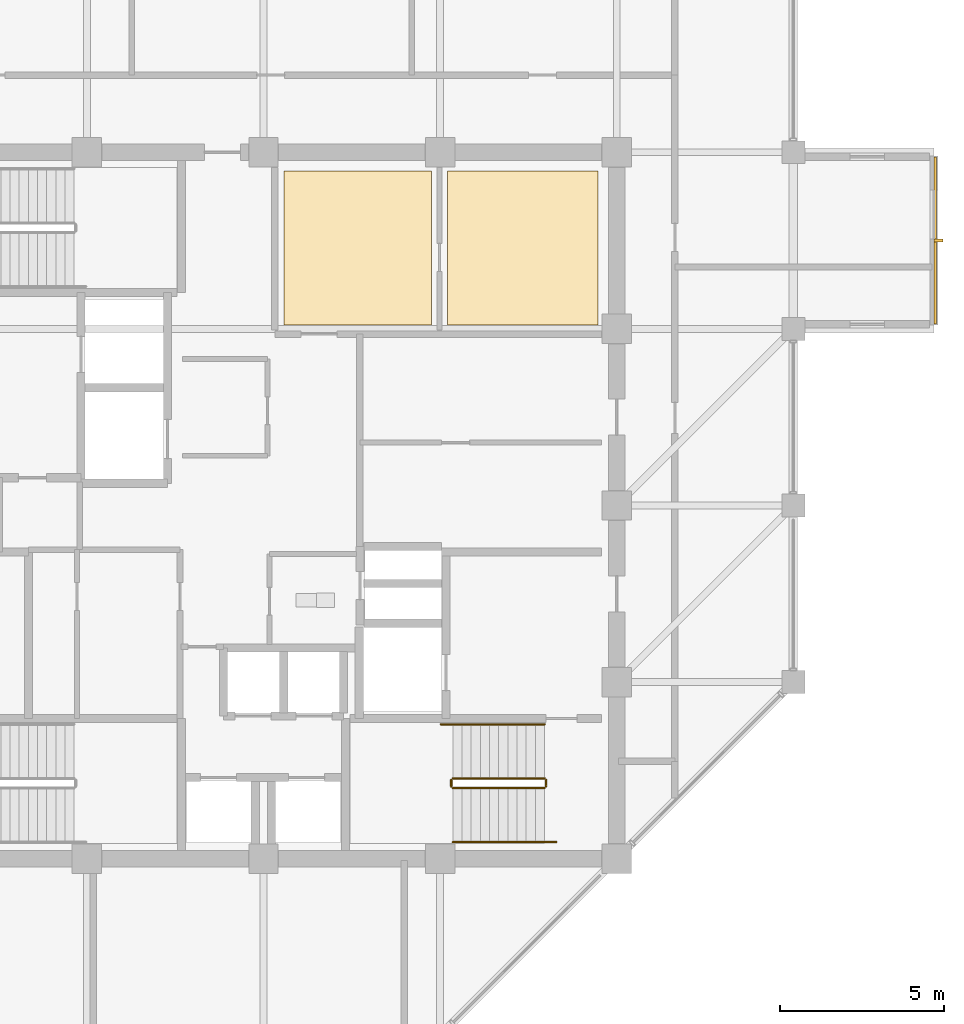
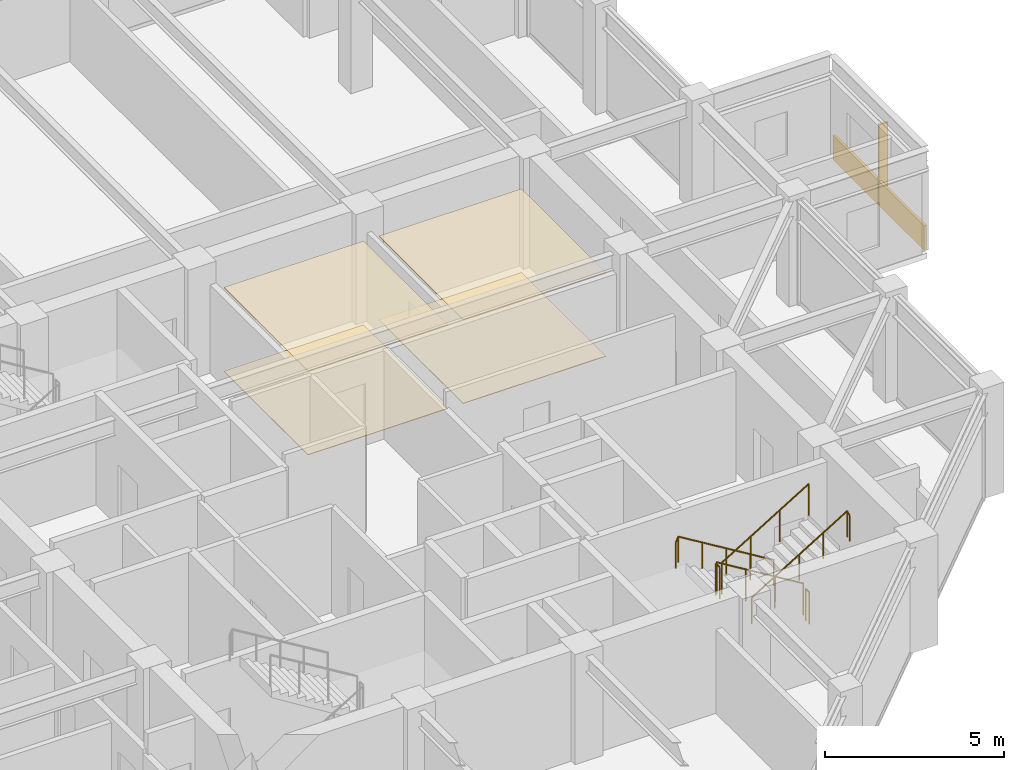
# One storey, part 30 of 31: 6 railings, 5 coverings, 1 shading device.
"""IFC4 building model written with IfcOpenShell, lengths in metres."""

from ifc_helpers import new_model, si_unit, direction, frame, origin, origin_2d, place, context, subcontext, project, spatial, polyline, rectangle, circle, outline, extrude, material, layer, layer_set, type_object, element, save


model = new_model("IFC4")

# Units and contexts
model_context = context("Model", 3, precision=1e-05, world=origin(), true_north=direction((0.0, 1.0)))
body_context = subcontext(model_context, "Body", "Model", "MODEL_VIEW")
ifc_project = project(units=[si_unit("LENGTHUNIT", "METRE"), si_unit("AREAUNIT", "SQUARE_METRE"), si_unit("VOLUMEUNIT", "CUBIC_METRE"), si_unit("PLANEANGLEUNIT", "RADIAN"), si_unit("MASSUNIT", "GRAM", prefix="KILO")], contexts=[model_context])

# Site, building, storey
site_placement = place(None, origin())
site = spatial("IfcSite", under=ifc_project, at=site_placement, CompositionType="ELEMENT")
building_placement = place(site_placement, origin())
building = spatial("IfcBuilding", under=site, at=building_placement, Name="Surkhivell Harbour Commons", CompositionType="ELEMENT")
storey_placement = place(building_placement, frame((0.0, 0.0, 262.5)))
storey = spatial("IfcBuildingStorey", under=building, at=storey_placement, Name="L68", CompositionType="ELEMENT", Elevation=262.5)

# Coverings
ifc_material_1 = material(Name="Perforated acoustic mineral-fibre ceiling tile", Category="other")
ifc_layer_1 = layer(ifc_material_1, 0.02490234375)
ifc_layer_set_1 = layer_set([ifc_layer_1], Name="Perforated acoustic mineral-fibre ceiling tile")
covering_type_1 = type_object("IfcCoveringType", Name="COV-CEIL-AC", PredefinedType="CEILING", material=ifc_layer_set_1)
covering_1_placement = place(storey_placement, frame((0.0, 0.0, 2.85205078125)))
element("IfcCovering", 1, at=covering_1_placement, inside=storey, type_object=covering_type_1, Name="L68 Suspended Acoustic Ceiling 1", PredefinedType="CEILING", context=body_context, shape_type="SweptSolid", body=[
    extrude(outline(polyline([(0.6201171875, 5.52001953125), (5.1298828125, 5.52001953125), (5.1298828125, 10.219970703125), (0.6201171875, 10.219970703125), (0.6201171875, 5.52001953125)])), origin(), (0.0, 0.0, 1.0), 0.02490234375),
])
ifc_material_2 = material(Name="Moisture-resistant gypsum acoustic ceiling board", Category="other")
ifc_layer_2 = layer(ifc_material_2, 0.030029296875)
ifc_layer_set_2 = layer_set([ifc_layer_2], Name="Moisture-resistant gypsum acoustic ceiling board")
covering_type_2 = type_object("IfcCoveringType", Name="COV-CEIL-GYP", PredefinedType="CEILING", material=ifc_layer_set_2)
covering_2_placement = place(storey_placement, frame((0.0, 0.0, 2.846923828125)))
element("IfcCovering", 2, at=covering_2_placement, inside=storey, type_object=covering_type_2, Name="L68 Suspended Acoustic Ceiling 2", PredefinedType="CEILING", context=body_context, shape_type="SweptSolid", body=[
    extrude(outline(polyline([(5.6201171875, 5.52001953125), (10.219970703125, 5.52001953125), (10.219970703125, 10.219970703125), (5.6201171875, 10.219970703125), (5.6201171875, 5.52001953125)])), origin(), (0.0, 0.0, 1.0), 0.030029296875),
])
ifc_material_3 = material(Name="Vermilion-coral enamelled aluminium cassette panel", Category="aluminium")
ifc_layer_3 = layer(ifc_material_3, 0.074951171875)
ifc_layer_set_3 = layer_set([ifc_layer_3], Name="Vermilion-coral enamelled aluminium cassette panel")
covering_type_3 = type_object("IfcCoveringType", Name="COV-CLAD-VER", PredefinedType="CLADDING", material=ifc_layer_set_3)
covering_3_placement = place(storey_placement, frame((20.5400390625, 8.10009765625, 0.0), z_axis=(0.0, 0.0, 1.0), x_axis=(1.0, 0.0, 0.0)))
element("IfcCovering", 3, at=covering_3_placement, inside=storey, type_object=covering_type_3, Name="L68 Coloured-Panel Box Spandrel Cassette 01", PredefinedType="CLADDING", context=body_context, shape_type="SweptSolid", body=[
    extrude(rectangle(XDim=0.080078125, YDim=5.10009765625, at=origin_2d()), origin(), (0.0, 0.0, 1.0), 0.840087890625),
])
ifc_material_4 = material(Name="Engineered acoustic oak timber flooring", Category="wood")
ifc_layer_4 = layer(ifc_material_4, 0.02001953125)
ifc_layer_set_4 = layer_set([ifc_layer_4], Name="Engineered acoustic oak timber flooring")
covering_type_4 = type_object("IfcCoveringType", Name="COV-FLR-TIM", PredefinedType="FLOORING", material=ifc_layer_set_4)
covering_4_placement = place(storey_placement, origin())
element("IfcCovering", 4, at=covering_4_placement, inside=storey, type_object=covering_type_4, Name="L68 Interior Floor Finish 1", PredefinedType="FLOORING", context=body_context, shape_type="SweptSolid", body=[
    extrude(outline(polyline([(0.6201171875, 5.52001953125), (5.1298828125, 5.52001953125), (5.1298828125, 10.219970703125), (0.6201171875, 10.219970703125), (0.6201171875, 5.52001953125)])), origin(), (0.0, 0.0, 1.0), 0.02001953125),
])
covering_5_placement = place(storey_placement, origin())
element("IfcCovering", 5, at=covering_5_placement, inside=storey, type_object=covering_type_4, Name="L68 Interior Floor Finish 2", PredefinedType="FLOORING", context=body_context, shape_type="SweptSolid", body=[
    extrude(outline(polyline([(5.6201171875, 5.52001953125), (10.219970703125, 5.52001953125), (10.219970703125, 10.219970703125), (5.6201171875, 10.219970703125), (5.6201171875, 5.52001953125)])), origin(), (0.0, 0.0, 1.0), 0.02001953125),
])

# Railings
ifc_material_5 = material(Name="Galvanised and painted steel S355 guard rail", Category="steel")
railing_type_1 = type_object("IfcRailingType", Name="RAL-ST-GRD1100", PredefinedType="GUARDRAIL", material=ifc_material_5)
railing_1_placement = place(storey_placement, frame((8.590087890625, -8.340087890625, 0.17041015625)))
element("IfcRailing", 6, at=railing_1_placement, inside=storey, type_object=railing_type_1, Name="L68 ST2 stair guard 1", PredefinedType="GUARDRAIL", context=body_context, shape_type="SweptSolid", body=[
    extrude(circle(Radius=0.02392578125, at=origin_2d()), frame((0.0, 0.0, 1.076171875), z_axis=(-0.854169791009, 0.0, 0.51999420009), x_axis=(0.0, -1.0, 0.0)), (0.0, 0.0, 1.0), 3.278076171875),
    extrude(circle(Radius=0.02099609375, at=origin_2d()), origin(), (0.0, 0.0, 1.0), 1.052001953125),
    extrude(circle(Radius=0.02099609375, at=origin_2d()), frame((-0.933349609375, 0.0, 0.568115234375)), (0.0, 0.0, 1.0), 1.052001953125),
    extrude(circle(Radius=0.02099609375, at=origin_2d()), frame((-1.86669921875, 0.0, 1.136474609375)), (0.0, 0.0, 1.0), 1.052001953125),
    extrude(circle(Radius=0.02099609375, at=origin_2d()), frame((-2.800048828125, 0.0, 1.70458984375)), (0.0, 0.0, 1.0), 1.052001953125),
])
railing_2_placement = place(storey_placement, frame((5.739990234375, -8.389892578125, 1.875)))
element("IfcRailing", 7, at=railing_2_placement, inside=storey, type_object=railing_type_1, Name="L68 ST2 stair guard 2", PredefinedType="GUARDRAIL", context=body_context, shape_type="SweptSolid", body=[
    extrude(circle(Radius=0.02392578125, at=origin_2d()), frame((0.0, 0.0, 1.076171875), z_axis=(0.0, -1.0, 0.0), x_axis=(1.0, 0.0, 0.0)), (0.0, 0.0, 1.0), 0.2001953125),
    extrude(circle(Radius=0.02099609375, at=origin_2d()), origin(), (0.0, 0.0, 1.0), 1.052001953125),
    extrude(circle(Radius=0.02099609375, at=origin_2d()), frame((0.0, -0.2001953125, 0.0)), (0.0, 0.0, 1.0), 1.052001953125),
])
railing_3_placement = place(storey_placement, frame((5.7900390625, -8.639892578125, 2.04541015625)))
element("IfcRailing", 8, at=railing_3_placement, inside=storey, type_object=railing_type_1, Name="L68 ST2 stair guard 3", PredefinedType="GUARDRAIL", context=body_context, shape_type="SweptSolid", body=[
    extrude(circle(Radius=0.02392578125, at=origin_2d()), frame((0.0, 0.0, 1.076171875), z_axis=(0.854169791009, 0.0, 0.51999420009), x_axis=(0.0, 1.0, 0.0)), (0.0, 0.0, 1.0), 3.278076171875),
    extrude(circle(Radius=0.02099609375, at=origin_2d()), origin(), (0.0, 0.0, 1.0), 1.052001953125),
    extrude(circle(Radius=0.02099609375, at=origin_2d()), frame((0.933349609375, 0.0, 0.568115234375)), (0.0, 0.0, 1.0), 1.052001953125),
    extrude(circle(Radius=0.02099609375, at=origin_2d()), frame((1.86669921875, 0.0, 1.136474609375)), (0.0, 0.0, 1.0), 1.052001953125),
    extrude(circle(Radius=0.02099609375, at=origin_2d()), frame((2.800048828125, 0.0, 1.70458984375)), (0.0, 0.0, 1.0), 1.052001953125),
])
railing_4_placement = place(storey_placement, frame((8.639892578125, -8.389892578125, 0.0)))
element("IfcRailing", 9, at=railing_4_placement, inside=storey, type_object=railing_type_1, Name="L68 ST2 stair guard 4", PredefinedType="GUARDRAIL", context=body_context, shape_type="SweptSolid", body=[
    extrude(circle(Radius=0.02392578125, at=origin_2d()), frame((0.0, 0.0, 1.076171875), z_axis=(0.0, -1.0, 0.0), x_axis=(1.0, 0.0, 0.0)), (0.0, 0.0, 1.0), 0.2001953125),
    extrude(circle(Radius=0.02099609375, at=origin_2d()), origin(), (0.0, 0.0, 1.0), 1.052001953125),
    extrude(circle(Radius=0.02099609375, at=origin_2d()), frame((0.0, -0.2001953125, 0.0)), (0.0, 0.0, 1.0), 1.052001953125),
])
ifc_material_6 = material(Name="Brushed stainless steel S355 handrail", Category="steel")
railing_type_2 = type_object("IfcRailingType", Name="RAL-ST-HND900", PredefinedType="HANDRAIL", material=ifc_material_6)
railing_5_placement = place(storey_placement, frame((8.590087890625, -6.68994140625, 0.17041015625)))
element("IfcRailing", 10, at=railing_5_placement, inside=storey, type_object=railing_type_2, Name="L68 ST2 stair handrail 1", PredefinedType="HANDRAIL", context=body_context, shape_type="SweptSolid", body=[
    extrude(circle(Radius=0.02392578125, at=origin_2d()), frame((0.0, 0.0, 0.8759765625), z_axis=(-0.854177636135, 0.0, 0.519981313056), x_axis=(0.0, -1.0, 0.0)), (0.0, 0.0, 1.0), 3.60595703125),
    extrude(circle(Radius=0.02392578125, at=origin_2d()), frame((-3.080078125, 0.0, 2.7509765625), z_axis=(-0.425297416671, 0.0, -0.905053648892), x_axis=(0.0, -1.0, 0.0)), (0.0, 0.0, 1.0), 0.188232421875),
    extrude(circle(Radius=0.02099609375, at=origin_2d()), origin(), (0.0, 0.0, 1.0), 0.851806640625),
    extrude(circle(Radius=0.02099609375, at=origin_2d()), frame((-0.77001953125, 0.0, 0.46875)), (0.0, 0.0, 1.0), 0.851806640625),
    extrude(circle(Radius=0.02099609375, at=origin_2d()), frame((-1.5400390625, 0.0, 0.9375)), (0.0, 0.0, 1.0), 0.851806640625),
    extrude(circle(Radius=0.02099609375, at=origin_2d()), frame((-2.31005859375, 0.0, 1.40625)), (0.0, 0.0, 1.0), 0.851806640625),
    extrude(circle(Radius=0.02099609375, at=origin_2d()), frame((-3.080078125, 0.0, 1.875)), (0.0, 0.0, 1.0), 0.851806640625),
    extrude(circle(Radius=0.02099609375, at=origin_2d()), frame((-3.16015625, 0.0, 1.70458984375)), (0.0, 0.0, 1.0), 0.851806640625),
])
railing_6_placement = place(storey_placement, frame((5.7900390625, -10.2900390625, 2.04541015625)))
element("IfcRailing", 11, at=railing_6_placement, inside=storey, type_object=railing_type_2, Name="L68 ST2 stair handrail 2", PredefinedType="HANDRAIL", context=body_context, shape_type="SweptSolid", body=[
    extrude(circle(Radius=0.02392578125, at=origin_2d()), frame((0.0, 0.0, 0.8759765625), z_axis=(0.854177636135, 0.0, 0.519981313056), x_axis=(0.0, 1.0, 0.0)), (0.0, 0.0, 1.0), 3.60595703125),
    extrude(circle(Radius=0.02392578125, at=origin_2d()), frame((3.080078125, 0.0, 2.7509765625), z_axis=(0.424234432967, 0.0, -0.905552398199), x_axis=(0.0, 1.0, 0.0)), (0.0, 0.0, 1.0), 0.188232421875),
    extrude(circle(Radius=0.02099609375, at=origin_2d()), origin(), (0.0, 0.0, 1.0), 0.851806640625),
    extrude(circle(Radius=0.02099609375, at=origin_2d()), frame((0.77001953125, 0.0, 0.46875)), (0.0, 0.0, 1.0), 0.851806640625),
    extrude(circle(Radius=0.02099609375, at=origin_2d()), frame((1.5400390625, 0.0, 0.9375)), (0.0, 0.0, 1.0), 0.851806640625),
    extrude(circle(Radius=0.02099609375, at=origin_2d()), frame((2.31005859375, 0.0, 1.40625)), (0.0, 0.0, 1.0), 0.851806640625),
    extrude(circle(Radius=0.02099609375, at=origin_2d()), frame((3.080078125, 0.0, 1.875)), (0.0, 0.0, 1.0), 0.851806640625),
    extrude(circle(Radius=0.02099609375, at=origin_2d()), frame((3.159912109375, 0.0, 1.70458984375)), (0.0, 0.0, 1.0), 0.851806640625),
])

# Shading device
ifc_material_7 = material(Name="Champagne anodised aluminium solar fin", Category="aluminium")
shading_device_type = type_object("IfcShadingDeviceType", Name="SHD-FIN-SLIM", PredefinedType="USERDEFINED", material=ifc_material_7)
shading_device_placement = place(storey_placement, frame((20.639892578125, 8.10009765625, 0.0048828125), z_axis=(0.0, 0.0, 1.0), x_axis=(1.0, 0.0, 0.0)))
element("IfcShadingDevice", 12, at=shading_device_placement, inside=storey, type_object=shading_device_type, Name="L68 Coloured-Box Solar Fin 01", ObjectType="FIN", PredefinedType="USERDEFINED", context=body_context, shape_type="SweptSolid", body=[
    extrude(rectangle(XDim=0.280029296875, YDim=0.080078125, at=origin_2d()), origin(), (0.0, 0.0, 1.0), 2.75),
])

save(model, "model.ifc")
